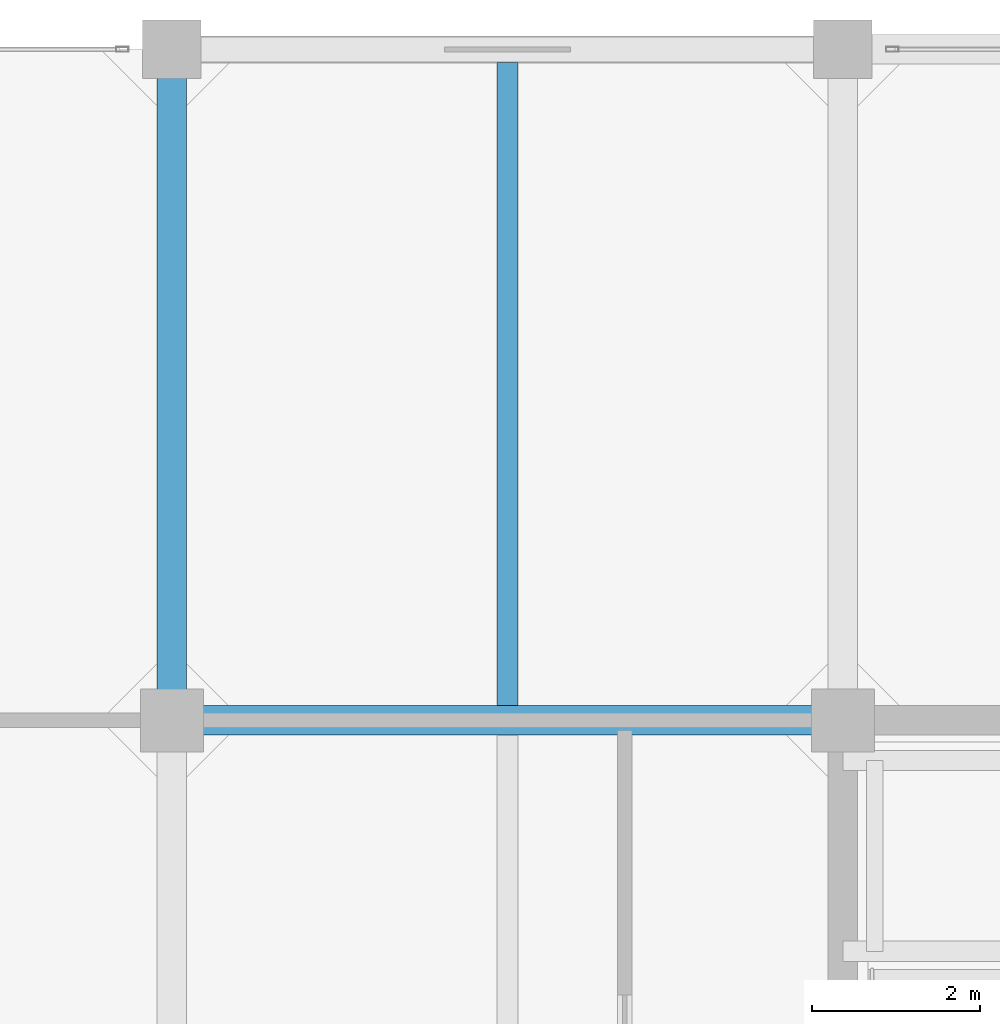
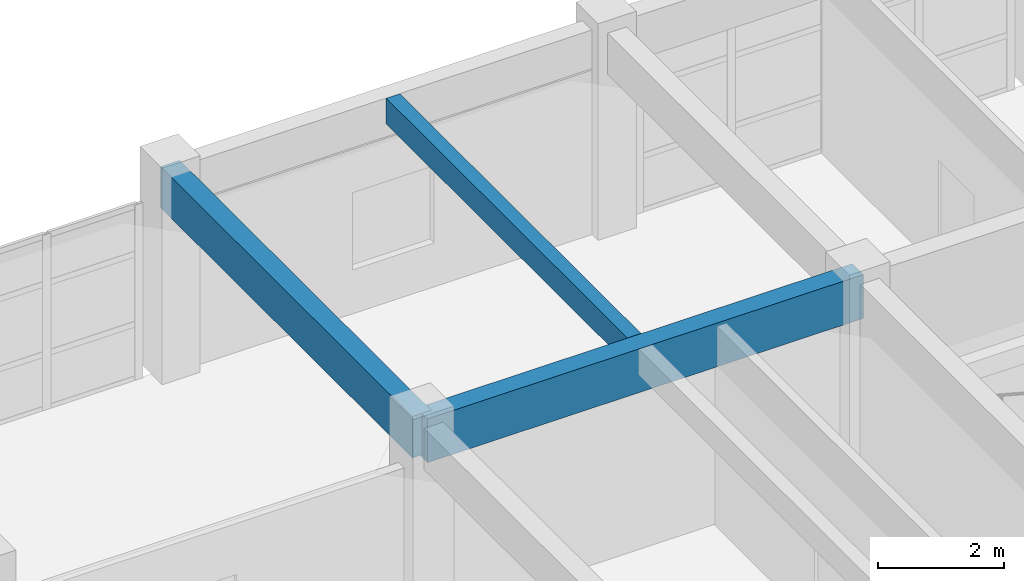
# One storey, part 13 of 27: 3 beams.
"""IFC4 building model written with IfcOpenShell, lengths in metres."""

from ifc_helpers import new_model, si_unit, direction, frame, origin, origin_2d, place, context, subcontext, project, spatial, rectangle, extrude, material, material_profile, profile_set, type_object, element, save


model = new_model("IFC4")

# Units and contexts
model_context = context("Model", 3, precision=1e-05, world=origin(), true_north=direction((0.0, 1.0)))
body_context = subcontext(model_context, "Body", "Model", "MODEL_VIEW")
ifc_project = project(units=[si_unit("LENGTHUNIT", "METRE"), si_unit("AREAUNIT", "SQUARE_METRE"), si_unit("VOLUMEUNIT", "CUBIC_METRE"), si_unit("PLANEANGLEUNIT", "RADIAN"), si_unit("MASSUNIT", "GRAM", prefix="KILO")], contexts=[model_context])

# Site, building, storey
site_placement = place(None, origin())
site = spatial("IfcSite", under=ifc_project, at=site_placement, CompositionType="ELEMENT")
building_placement = place(site_placement, origin())
building = spatial("IfcBuilding", under=site, at=building_placement, Name="Canggui Botanical Conservatory", CompositionType="ELEMENT")
storey_placement = place(building_placement, frame((0.0, 0.0, 36.0)))
storey = spatial("IfcBuildingStorey", under=building, at=storey_placement, Name="L09", CompositionType="ELEMENT", Elevation=36.0)

# Beams
ifc_material = material(Name="Concrete C35", Category="concrete")
ifc_material_profile_1 = material_profile(ifc_material, rectangle(XDim=0.25, YDim=0.5, at=origin_2d()), Name="RB 250x500")
ifc_profile_set_1 = profile_set([ifc_material_profile_1], Name="Concrete C35")
beam_type_1 = type_object("IfcBeamType", Name="BM-JST04", PredefinedType="JOIST", material=ifc_profile_set_1)
beam_1_placement = place(storey_placement, frame((150.0, 66.179931640625, 3.7099609375), z_axis=(0.0, 1.0, 0.0), x_axis=(-1.0, 0.0, 0.0)))
element("IfcBeam", 1, at=beam_1_placement, inside=storey, type_object=beam_type_1, Name="Secondary Floor Joist L09-1-5", PredefinedType="JOIST", context=body_context, shape_type="SweptSolid", body=[
    extrude(rectangle(XDim=0.25, YDim=0.5, at=origin_2d()), origin(), (0.0, 0.0, 1.0), 7.6650390625),
])
ifc_material_profile_2 = material_profile(ifc_material, rectangle(XDim=0.35009765625, YDim=0.85009765625, at=origin_2d()), Name="RB 350x850")
ifc_profile_set_2 = profile_set([ifc_material_profile_2], Name="Concrete C35")
beam_type_2 = type_object("IfcBeamType", Name="BM-KL14", PredefinedType="BEAM", material=ifc_profile_set_2)
beam_2_placement = place(storey_placement, frame((146.0, 66.0, 3.534912109375), z_axis=(1.0, 0.0, 0.0), x_axis=(0.0, 1.0, 0.0)))
element("IfcBeam", 2, at=beam_2_placement, inside=storey, type_object=beam_type_2, Name="Frame Girder L09 Y66-1", PredefinedType="BEAM", context=body_context, shape_type="SweptSolid", body=[
    extrude(rectangle(XDim=0.35009765625, YDim=0.85009765625, at=origin_2d()), origin(), (0.0, 0.0, 1.0), 8.0),
])
ifc_material_profile_3 = material_profile(ifc_material, rectangle(XDim=0.35009765625, YDim=0.800048828125, at=origin_2d()), Name="RB 350x800")
ifc_profile_set_3 = profile_set([ifc_material_profile_3], Name="Concrete C35")
beam_type_3 = type_object("IfcBeamType", Name="BM-KL15", PredefinedType="BEAM", material=ifc_profile_set_3)
beam_3_placement = place(storey_placement, frame((146.0, 66.0, 3.56005859375), z_axis=(0.0, 1.0, 0.0), x_axis=(-1.0, 0.0, 0.0)))
element("IfcBeam", 3, at=beam_3_placement, inside=storey, type_object=beam_type_3, Name="Frame Girder L09 X146-5", PredefinedType="BEAM", context=body_context, shape_type="SweptSolid", body=[
    extrude(rectangle(XDim=0.35009765625, YDim=0.800048828125, at=origin_2d()), origin(), (0.0, 0.0, 1.0), 8.0),
])

save(model, "model.ifc")
